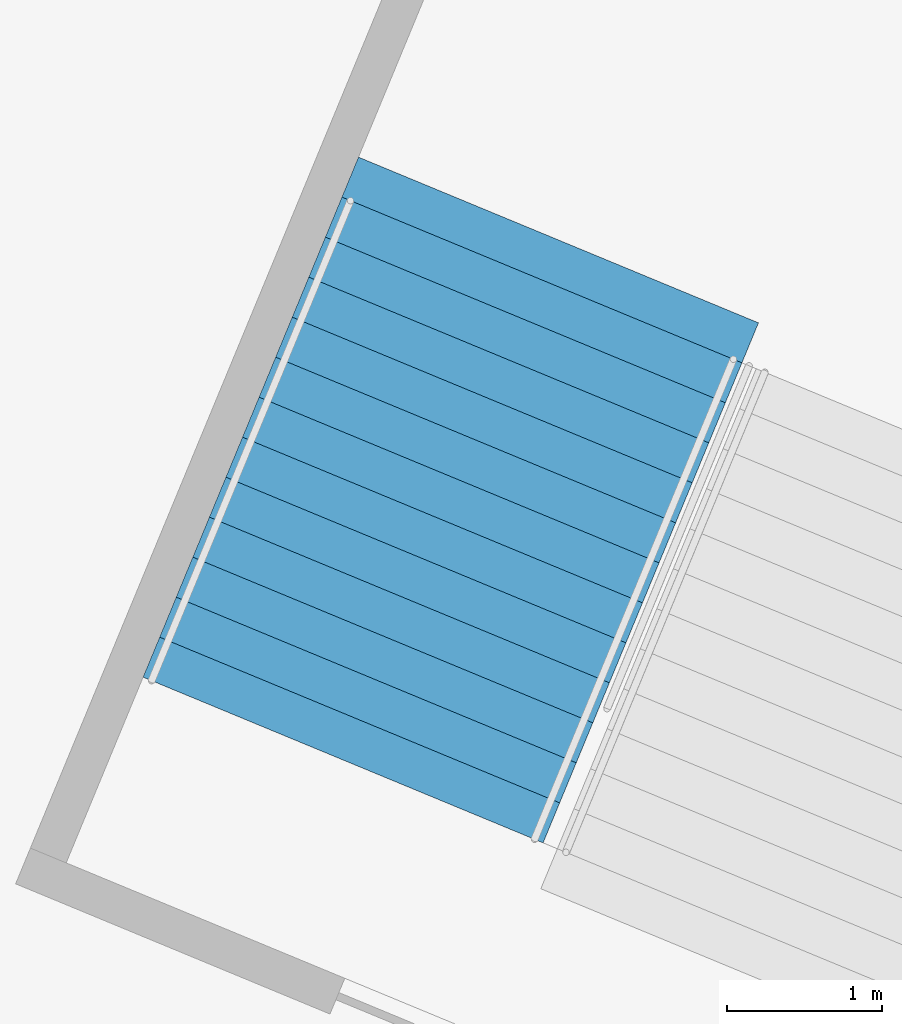
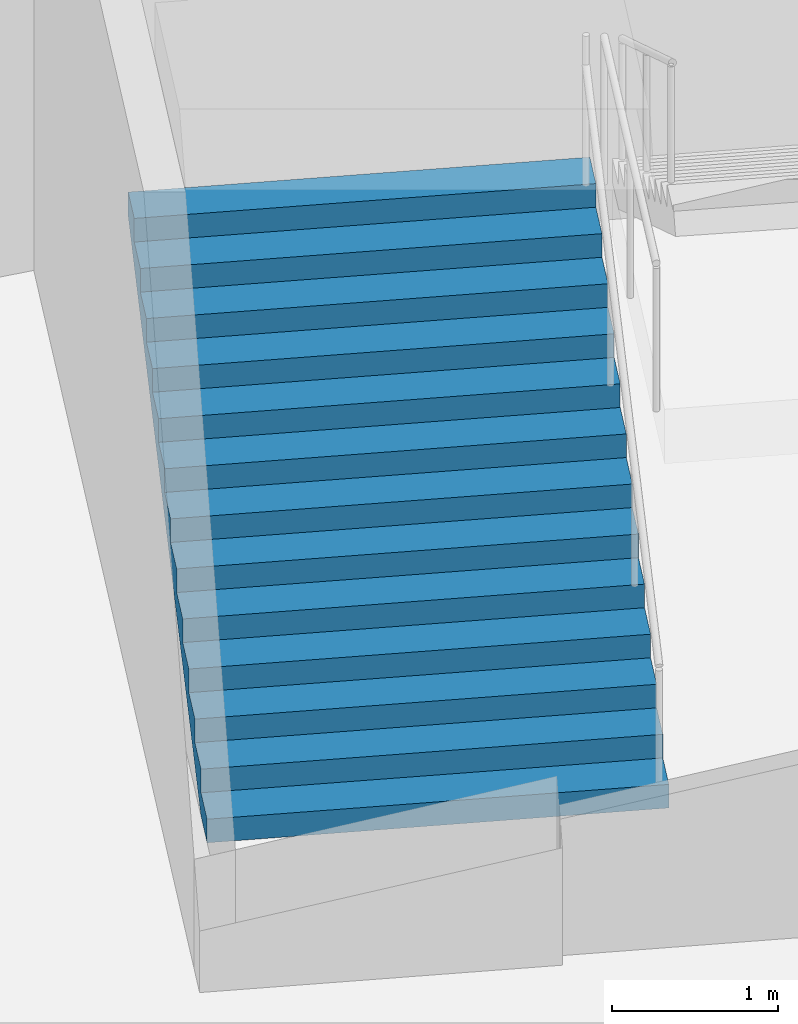
# One storey, part 150 of 175: 1 stair flight, 1 element without a shape of its own.
"""IFC4 building model written with IfcOpenShell, lengths in metres."""

from ifc_helpers import new_model, si_unit, direction, frame, origin, place, context, subcontext, project, spatial, faceted_brep, material, type_object, element, aggregate, save


model = new_model("IFC4")

# Units and contexts
model_context = context("Model", 3, precision=1e-05, world=origin(), true_north=direction((0.0, 1.0)))
body_context = subcontext(model_context, "Body", "Model", "MODEL_VIEW")
ifc_project = project(units=[si_unit("LENGTHUNIT", "METRE"), si_unit("AREAUNIT", "SQUARE_METRE"), si_unit("VOLUMEUNIT", "CUBIC_METRE"), si_unit("PLANEANGLEUNIT", "RADIAN"), si_unit("MASSUNIT", "GRAM", prefix="KILO")], contexts=[model_context])

# Site, building, storey
site_placement = place(None, origin())
site = spatial("IfcSite", under=ifc_project, at=site_placement, CompositionType="ELEMENT")
building_placement = place(site_placement, origin())
building = spatial("IfcBuilding", under=site, at=building_placement, Name="Ogive Plaza Stadium", CompositionType="ELEMENT")
storey_placement = place(building_placement, origin())
storey = spatial("IfcBuildingStorey", under=building, at=storey_placement, Name="L00", CompositionType="ELEMENT", Elevation=0.0)

# Stair, stair flight
ifc_material_1 = material(Name="Concrete C40/50", Category="concrete")
stair_type = type_object("IfcStairType", Name="Exit stair", PredefinedType="STRAIGHT_RUN_STAIR", material=ifc_material_1)
stair_placement = place(storey_placement, origin())
stair = element("IfcStair", 1, at=stair_placement, inside=storey, type_object=stair_type, Name="Exit stair ST38B L00 to L01", PredefinedType="STRAIGHT_RUN_STAIR")
ifc_material_2 = material(Name="Concrete C40/50", Category="concrete")
stair_flight_type = type_object("IfcStairFlightType", Name="Exit stair flight", PredefinedType="STRAIGHT", material=ifc_material_2)
stair_flight_placement = place(storey_placement, frame((46.118408203125, 93.319580078125, 0.0), z_axis=(0.0, 0.0, 1.0), x_axis=(0.382683432365, 0.923879532511, 0.0)))
stair_flight = element("IfcStairFlight", 2, at=stair_flight_placement, type_object=stair_flight_type, Name="ST38B flight 1", NumberOfRisers=13, NumberOfTreads=12, PredefinedType="STRAIGHT", RiserHeight=0.173076923, TreadLength=0.28, context=body_context, shape_type="Brep", body=[
    faceted_brep([(0.28515625, -1.39990234375, 0.0), (3.639892578125, -1.39990234375, 2.07373046875), (3.639892578125, -1.39990234375, 2.25), (3.360107421875, -1.39990234375, 2.25), (3.360107421875, -1.39990234375, 2.076904296875), (3.080078125, -1.39990234375, 2.076904296875), (3.080078125, -1.39990234375, 1.90380859375), (2.800048828125, -1.39990234375, 1.90380859375), (2.800048828125, -1.39990234375, 1.730712890625), (2.52001953125, -1.39990234375, 1.730712890625), (2.52001953125, -1.39990234375, 1.5576171875), (2.239990234375, -1.39990234375, 1.5576171875), (2.239990234375, -1.39990234375, 1.384521484375), (1.9599609375, -1.39990234375, 1.384521484375), (1.9599609375, -1.39990234375, 1.21142578125), (1.679931640625, -1.39990234375, 1.21142578125), (1.679931640625, -1.39990234375, 1.03857421875), (1.39990234375, -1.39990234375, 1.03857421875), (1.39990234375, -1.39990234375, 0.865478515625), (1.1201171875, -1.39990234375, 0.865478515625), (1.1201171875, -1.39990234375, 0.6923828125), (0.840087890625, -1.39990234375, 0.6923828125), (0.840087890625, -1.39990234375, 0.519287109375), (0.56005859375, -1.39990234375, 0.519287109375), (0.56005859375, -1.39990234375, 0.34619140625), (0.280029296875, -1.39990234375, 0.34619140625), (0.280029296875, -1.39990234375, 0.173095703125), (0.0, -1.39990234375, 0.173095703125), (0.0, -1.39990234375, 0.0), (0.0, 1.39990234375, 0.0), (0.0, 1.39990234375, 0.173095703125), (0.280029296875, 1.39990234375, 0.173095703125), (0.280029296875, 1.39990234375, 0.34619140625), (0.56005859375, 1.39990234375, 0.34619140625), (0.56005859375, 1.39990234375, 0.519287109375), (0.840087890625, 1.39990234375, 0.519287109375), (0.840087890625, 1.39990234375, 0.6923828125), (1.1201171875, 1.39990234375, 0.6923828125), (1.1201171875, 1.39990234375, 0.865478515625), (1.39990234375, 1.39990234375, 0.865478515625), (1.39990234375, 1.39990234375, 1.03857421875), (1.679931640625, 1.39990234375, 1.03857421875), (1.679931640625, 1.39990234375, 1.21142578125), (1.9599609375, 1.39990234375, 1.21142578125), (1.9599609375, 1.39990234375, 1.384521484375), (2.239990234375, 1.39990234375, 1.384521484375), (2.239990234375, 1.39990234375, 1.5576171875), (2.52001953125, 1.39990234375, 1.5576171875), (2.52001953125, 1.39990234375, 1.730712890625), (2.800048828125, 1.39990234375, 1.730712890625), (2.800048828125, 1.39990234375, 1.90380859375), (3.080078125, 1.39990234375, 1.90380859375), (3.080078125, 1.39990234375, 2.076904296875), (3.360107421875, 1.39990234375, 2.076904296875), (3.360107421875, 1.39990234375, 2.25), (3.639892578125, 1.39990234375, 2.25), (3.639892578125, 1.39990234375, 2.07373046875), (0.28515625, 1.39990234375, 0.0), (0.28515625, -1.0888671875, 0.0), (3.639892578125, -1.0888671875, 2.07373046875), (0.28515625, -0.77783203125, 0.0), (3.639892578125, -0.77783203125, 2.07373046875), (0.28515625, -0.466796875, 0.0), (3.639892578125, -0.466796875, 2.07373046875), (0.28515625, -0.155517578125, 0.0), (3.639892578125, -0.155517578125, 2.07373046875), (0.28515625, 0.155517578125, 0.0), (3.639892578125, 0.155517578125, 2.07373046875), (0.28515625, 0.466796875, 0.0), (3.639892578125, 0.466796875, 2.07373046875), (0.28515625, 0.77783203125, 0.0), (3.639892578125, 0.77783203125, 2.07373046875), (0.28515625, 1.0888671875, 0.0), (3.639892578125, 1.0888671875, 2.07373046875), (3.639892578125, -1.0888671875, 2.25), (3.639892578125, -0.77783203125, 2.25), (3.639892578125, -0.466796875, 2.25), (3.639892578125, -0.155517578125, 2.25), (3.639892578125, 0.155517578125, 2.25), (3.639892578125, 0.466796875, 2.25), (3.639892578125, 0.77783203125, 2.25), (3.639892578125, 1.0888671875, 2.25), (3.360107421875, -1.0888671875, 2.25), (3.360107421875, -0.77783203125, 2.25), (3.360107421875, -0.466796875, 2.25), (3.360107421875, -0.155517578125, 2.25), (3.360107421875, 0.155517578125, 2.25), (3.360107421875, 0.466796875, 2.25), (3.360107421875, 0.77783203125, 2.25), (3.360107421875, 1.0888671875, 2.25), (3.360107421875, -1.0888671875, 2.076904296875), (3.360107421875, -0.77783203125, 2.076904296875), (3.360107421875, -0.466796875, 2.076904296875), (3.360107421875, -0.155517578125, 2.076904296875), (3.360107421875, 0.155517578125, 2.076904296875), (3.360107421875, 0.466796875, 2.076904296875), (3.360107421875, 0.77783203125, 2.076904296875), (3.360107421875, 1.0888671875, 2.076904296875), (3.080078125, -1.0888671875, 2.076904296875), (3.080078125, -0.77783203125, 2.076904296875), (3.080078125, -0.466796875, 2.076904296875), (3.080078125, -0.155517578125, 2.076904296875), (3.080078125, 0.155517578125, 2.076904296875), (3.080078125, 0.466796875, 2.076904296875), (3.080078125, 0.77783203125, 2.076904296875), (3.080078125, 1.0888671875, 2.076904296875), (3.080078125, -1.0888671875, 1.90380859375), (3.080078125, -0.77783203125, 1.90380859375), (3.080078125, -0.466796875, 1.90380859375), (3.080078125, -0.155517578125, 1.90380859375), (3.080078125, 0.155517578125, 1.90380859375), (3.080078125, 0.466796875, 1.90380859375), (3.080078125, 0.77783203125, 1.90380859375), (3.080078125, 1.0888671875, 1.90380859375), (2.800048828125, -1.0888671875, 1.90380859375), (2.800048828125, -0.77783203125, 1.90380859375), (2.800048828125, -0.466796875, 1.90380859375), (2.800048828125, -0.155517578125, 1.90380859375), (2.800048828125, 0.155517578125, 1.90380859375), (2.800048828125, 0.466796875, 1.90380859375), (2.800048828125, 0.77783203125, 1.90380859375), (2.800048828125, 1.0888671875, 1.90380859375), (2.800048828125, -1.0888671875, 1.730712890625), (2.800048828125, -0.77783203125, 1.730712890625), (2.800048828125, -0.466796875, 1.730712890625), (2.800048828125, -0.155517578125, 1.730712890625), (2.800048828125, 0.155517578125, 1.730712890625), (2.800048828125, 0.466796875, 1.730712890625), (2.800048828125, 0.77783203125, 1.730712890625), (2.800048828125, 1.0888671875, 1.730712890625), (2.52001953125, -1.0888671875, 1.730712890625), (2.52001953125, -0.77783203125, 1.730712890625), (2.52001953125, -0.466796875, 1.730712890625), (2.52001953125, -0.155517578125, 1.730712890625), (2.52001953125, 0.155517578125, 1.730712890625), (2.52001953125, 0.466796875, 1.730712890625), (2.52001953125, 0.77783203125, 1.730712890625), (2.52001953125, 1.0888671875, 1.730712890625), (2.52001953125, -1.0888671875, 1.5576171875), (2.52001953125, -0.77783203125, 1.5576171875), (2.52001953125, -0.466796875, 1.5576171875), (2.52001953125, -0.155517578125, 1.5576171875), (2.52001953125, 0.155517578125, 1.5576171875), (2.52001953125, 0.466796875, 1.5576171875), (2.52001953125, 0.77783203125, 1.5576171875), (2.52001953125, 1.0888671875, 1.5576171875), (2.239990234375, -1.0888671875, 1.5576171875), (2.239990234375, -0.77783203125, 1.5576171875), (2.239990234375, -0.466796875, 1.5576171875), (2.239990234375, -0.155517578125, 1.5576171875), (2.239990234375, 0.155517578125, 1.5576171875), (2.239990234375, 0.466796875, 1.5576171875), (2.239990234375, 0.77783203125, 1.5576171875), (2.239990234375, 1.0888671875, 1.5576171875), (2.239990234375, -1.0888671875, 1.384521484375), (2.239990234375, -0.77783203125, 1.384521484375), (2.239990234375, -0.466796875, 1.384521484375), (2.239990234375, -0.155517578125, 1.384521484375), (2.239990234375, 0.155517578125, 1.384521484375), (2.239990234375, 0.466796875, 1.384521484375), (2.239990234375, 0.77783203125, 1.384521484375), (2.239990234375, 1.0888671875, 1.384521484375), (1.9599609375, -1.0888671875, 1.384521484375), (1.9599609375, -0.77783203125, 1.384521484375), (1.9599609375, -0.466796875, 1.384521484375), (1.9599609375, -0.155517578125, 1.384521484375), (1.9599609375, 0.155517578125, 1.384521484375), (1.9599609375, 0.466796875, 1.384521484375), (1.9599609375, 0.77783203125, 1.384521484375), (1.9599609375, 1.0888671875, 1.384521484375), (1.9599609375, -1.0888671875, 1.21142578125), (1.9599609375, -0.77783203125, 1.21142578125), (1.9599609375, -0.466796875, 1.21142578125), (1.9599609375, -0.155517578125, 1.21142578125), (1.9599609375, 0.155517578125, 1.21142578125), (1.9599609375, 0.466796875, 1.21142578125), (1.9599609375, 0.77783203125, 1.21142578125), (1.9599609375, 1.0888671875, 1.21142578125), (1.679931640625, -1.0888671875, 1.21142578125), (1.679931640625, -0.77783203125, 1.21142578125), (1.679931640625, -0.466796875, 1.21142578125), (1.679931640625, -0.155517578125, 1.21142578125), (1.679931640625, 0.155517578125, 1.21142578125), (1.679931640625, 0.466796875, 1.21142578125), (1.679931640625, 0.77783203125, 1.21142578125), (1.679931640625, 1.0888671875, 1.21142578125), (1.679931640625, -1.0888671875, 1.03857421875), (1.679931640625, -0.77783203125, 1.03857421875), (1.679931640625, -0.466796875, 1.03857421875), (1.679931640625, -0.155517578125, 1.03857421875), (1.679931640625, 0.155517578125, 1.03857421875), (1.679931640625, 0.466796875, 1.03857421875), (1.679931640625, 0.77783203125, 1.03857421875), (1.679931640625, 1.0888671875, 1.03857421875), (1.39990234375, -1.0888671875, 1.03857421875), (1.39990234375, -0.77783203125, 1.03857421875), (1.39990234375, -0.466796875, 1.03857421875), (1.39990234375, -0.155517578125, 1.03857421875), (1.39990234375, 0.155517578125, 1.03857421875), (1.39990234375, 0.466796875, 1.03857421875), (1.39990234375, 0.77783203125, 1.03857421875), (1.39990234375, 1.0888671875, 1.03857421875), (1.39990234375, -1.0888671875, 0.865478515625), (1.39990234375, -0.77783203125, 0.865478515625), (1.39990234375, -0.466796875, 0.865478515625), (1.39990234375, -0.155517578125, 0.865478515625), (1.39990234375, 0.155517578125, 0.865478515625), (1.39990234375, 0.466796875, 0.865478515625), (1.39990234375, 0.77783203125, 0.865478515625), (1.39990234375, 1.0888671875, 0.865478515625), (1.1201171875, -1.0888671875, 0.865478515625), (1.1201171875, -0.77783203125, 0.865478515625), (1.1201171875, -0.466796875, 0.865478515625), (1.1201171875, -0.155517578125, 0.865478515625), (1.1201171875, 0.155517578125, 0.865478515625), (1.1201171875, 0.466796875, 0.865478515625), (1.1201171875, 0.77783203125, 0.865478515625), (1.1201171875, 1.0888671875, 0.865478515625), (1.1201171875, -1.0888671875, 0.6923828125), (1.1201171875, -0.77783203125, 0.6923828125), (1.1201171875, -0.466796875, 0.6923828125), (1.1201171875, -0.155517578125, 0.6923828125), (1.1201171875, 0.155517578125, 0.6923828125), (1.1201171875, 0.466796875, 0.6923828125), (1.1201171875, 0.77783203125, 0.6923828125), (1.1201171875, 1.0888671875, 0.6923828125), (0.840087890625, -1.0888671875, 0.6923828125), (0.840087890625, -0.77783203125, 0.6923828125), (0.840087890625, -0.466796875, 0.6923828125), (0.840087890625, -0.155517578125, 0.6923828125), (0.840087890625, 0.155517578125, 0.6923828125), (0.840087890625, 0.466796875, 0.6923828125), (0.840087890625, 0.77783203125, 0.6923828125), (0.840087890625, 1.0888671875, 0.6923828125), (0.840087890625, -1.0888671875, 0.519287109375), (0.840087890625, -0.77783203125, 0.519287109375), (0.840087890625, -0.466796875, 0.519287109375), (0.840087890625, -0.155517578125, 0.519287109375), (0.840087890625, 0.155517578125, 0.519287109375), (0.840087890625, 0.466796875, 0.519287109375), (0.840087890625, 0.77783203125, 0.519287109375), (0.840087890625, 1.0888671875, 0.519287109375), (0.56005859375, -1.0888671875, 0.519287109375), (0.56005859375, -0.77783203125, 0.519287109375), (0.56005859375, -0.466796875, 0.519287109375), (0.56005859375, -0.155517578125, 0.519287109375), (0.56005859375, 0.155517578125, 0.519287109375), (0.56005859375, 0.466796875, 0.519287109375), (0.56005859375, 0.77783203125, 0.519287109375), (0.56005859375, 1.0888671875, 0.519287109375), (0.56005859375, -1.0888671875, 0.34619140625), (0.56005859375, -0.77783203125, 0.34619140625), (0.56005859375, -0.466796875, 0.34619140625), (0.56005859375, -0.155517578125, 0.34619140625), (0.56005859375, 0.155517578125, 0.34619140625), (0.56005859375, 0.466796875, 0.34619140625), (0.56005859375, 0.77783203125, 0.34619140625), (0.56005859375, 1.0888671875, 0.34619140625), (0.280029296875, -1.0888671875, 0.34619140625), (0.280029296875, -0.77783203125, 0.34619140625), (0.280029296875, -0.466796875, 0.34619140625), (0.280029296875, -0.155517578125, 0.34619140625), (0.280029296875, 0.155517578125, 0.34619140625), (0.280029296875, 0.466796875, 0.34619140625), (0.280029296875, 0.77783203125, 0.34619140625), (0.280029296875, 1.0888671875, 0.34619140625), (0.280029296875, -1.0888671875, 0.173095703125), (0.280029296875, -0.77783203125, 0.173095703125), (0.280029296875, -0.466796875, 0.173095703125), (0.280029296875, -0.155517578125, 0.173095703125), (0.280029296875, 0.155517578125, 0.173095703125), (0.280029296875, 0.466796875, 0.173095703125), (0.280029296875, 0.77783203125, 0.173095703125), (0.280029296875, 1.0888671875, 0.173095703125), (0.0, -1.0888671875, 0.173095703125), (0.0, -0.77783203125, 0.173095703125), (0.0, -0.466796875, 0.173095703125), (0.0, -0.155517578125, 0.173095703125), (0.0, 0.155517578125, 0.173095703125), (0.0, 0.466796875, 0.173095703125), (0.0, 0.77783203125, 0.173095703125), (0.0, 1.0888671875, 0.173095703125), (0.0, -1.0888671875, 0.0), (0.0, -0.77783203125, 0.0), (0.0, -0.466796875, 0.0), (0.0, -0.155517578125, 0.0), (0.0, 0.155517578125, 0.0), (0.0, 0.466796875, 0.0), (0.0, 0.77783203125, 0.0), (0.0, 1.0888671875, 0.0)], [[[0, 1, 2, 3, 4, 5, 6, 7, 8, 9, 10, 11, 12, 13, 14, 15, 16, 17, 18, 19, 20, 21, 22, 23, 24, 25, 26, 27, 28]], [[29, 30, 31, 32, 33, 34, 35, 36, 37, 38, 39, 40, 41, 42, 43, 44, 45, 46, 47, 48, 49, 50, 51, 52, 53, 54, 55, 56, 57]], [[0, 58, 59, 1]], [[58, 60, 61, 59]], [[60, 62, 63, 61]], [[62, 64, 65, 63]], [[64, 66, 67, 65]], [[66, 68, 69, 67]], [[68, 70, 71, 69]], [[70, 72, 73, 71]], [[72, 57, 56, 73]], [[1, 59, 74, 2]], [[59, 61, 75, 74]], [[61, 63, 76, 75]], [[63, 65, 77, 76]], [[65, 67, 78, 77]], [[67, 69, 79, 78]], [[69, 71, 80, 79]], [[71, 73, 81, 80]], [[73, 56, 55, 81]], [[2, 74, 82, 3]], [[74, 75, 83, 82]], [[75, 76, 84, 83]], [[76, 77, 85, 84]], [[77, 78, 86, 85]], [[78, 79, 87, 86]], [[79, 80, 88, 87]], [[80, 81, 89, 88]], [[81, 55, 54, 89]], [[3, 82, 90, 4]], [[82, 83, 91, 90]], [[83, 84, 92, 91]], [[84, 85, 93, 92]], [[85, 86, 94, 93]], [[86, 87, 95, 94]], [[87, 88, 96, 95]], [[88, 89, 97, 96]], [[89, 54, 53, 97]], [[4, 90, 98, 5]], [[90, 91, 99, 98]], [[91, 92, 100, 99]], [[92, 93, 101, 100]], [[93, 94, 102, 101]], [[94, 95, 103, 102]], [[95, 96, 104, 103]], [[96, 97, 105, 104]], [[97, 53, 52, 105]], [[5, 98, 106, 6]], [[98, 99, 107, 106]], [[99, 100, 108, 107]], [[100, 101, 109, 108]], [[101, 102, 110, 109]], [[102, 103, 111, 110]], [[103, 104, 112, 111]], [[104, 105, 113, 112]], [[105, 52, 51, 113]], [[6, 106, 114, 7]], [[106, 107, 115, 114]], [[107, 108, 116, 115]], [[108, 109, 117, 116]], [[109, 110, 118, 117]], [[110, 111, 119, 118]], [[111, 112, 120, 119]], [[112, 113, 121, 120]], [[113, 51, 50, 121]], [[7, 114, 122, 8]], [[114, 115, 123, 122]], [[115, 116, 124, 123]], [[116, 117, 125, 124]], [[117, 118, 126, 125]], [[118, 119, 127, 126]], [[119, 120, 128, 127]], [[120, 121, 129, 128]], [[121, 50, 49, 129]], [[8, 122, 130, 9]], [[122, 123, 131, 130]], [[123, 124, 132, 131]], [[124, 125, 133, 132]], [[125, 126, 134, 133]], [[126, 127, 135, 134]], [[127, 128, 136, 135]], [[128, 129, 137, 136]], [[129, 49, 48, 137]], [[9, 130, 138, 10]], [[130, 131, 139, 138]], [[131, 132, 140, 139]], [[132, 133, 141, 140]], [[133, 134, 142, 141]], [[134, 135, 143, 142]], [[135, 136, 144, 143]], [[136, 137, 145, 144]], [[137, 48, 47, 145]], [[10, 138, 146, 11]], [[138, 139, 147, 146]], [[139, 140, 148, 147]], [[140, 141, 149, 148]], [[141, 142, 150, 149]], [[142, 143, 151, 150]], [[143, 144, 152, 151]], [[144, 145, 153, 152]], [[145, 47, 46, 153]], [[11, 146, 154, 12]], [[146, 147, 155, 154]], [[147, 148, 156, 155]], [[148, 149, 157, 156]], [[149, 150, 158, 157]], [[150, 151, 159, 158]], [[151, 152, 160, 159]], [[152, 153, 161, 160]], [[153, 46, 45, 161]], [[12, 154, 162, 13]], [[154, 155, 163, 162]], [[155, 156, 164, 163]], [[156, 157, 165, 164]], [[157, 158, 166, 165]], [[158, 159, 167, 166]], [[159, 160, 168, 167]], [[160, 161, 169, 168]], [[161, 45, 44, 169]], [[13, 162, 170, 14]], [[162, 163, 171, 170]], [[163, 164, 172, 171]], [[164, 165, 173, 172]], [[165, 166, 174, 173]], [[166, 167, 175, 174]], [[167, 168, 176, 175]], [[168, 169, 177, 176]], [[169, 44, 43, 177]], [[14, 170, 178, 15]], [[170, 171, 179, 178]], [[171, 172, 180, 179]], [[172, 173, 181, 180]], [[173, 174, 182, 181]], [[174, 175, 183, 182]], [[175, 176, 184, 183]], [[176, 177, 185, 184]], [[177, 43, 42, 185]], [[15, 178, 186, 16]], [[178, 179, 187, 186]], [[179, 180, 188, 187]], [[180, 181, 189, 188]], [[181, 182, 190, 189]], [[182, 183, 191, 190]], [[183, 184, 192, 191]], [[184, 185, 193, 192]], [[185, 42, 41, 193]], [[16, 186, 194, 17]], [[186, 187, 195, 194]], [[187, 188, 196, 195]], [[188, 189, 197, 196]], [[189, 190, 198, 197]], [[190, 191, 199, 198]], [[191, 192, 200, 199]], [[192, 193, 201, 200]], [[193, 41, 40, 201]], [[17, 194, 202, 18]], [[194, 195, 203, 202]], [[195, 196, 204, 203]], [[196, 197, 205, 204]], [[197, 198, 206, 205]], [[198, 199, 207, 206]], [[199, 200, 208, 207]], [[200, 201, 209, 208]], [[201, 40, 39, 209]], [[18, 202, 210, 19]], [[202, 203, 211, 210]], [[203, 204, 212, 211]], [[204, 205, 213, 212]], [[205, 206, 214, 213]], [[206, 207, 215, 214]], [[207, 208, 216, 215]], [[208, 209, 217, 216]], [[209, 39, 38, 217]], [[19, 210, 218, 20]], [[210, 211, 219, 218]], [[211, 212, 220, 219]], [[212, 213, 221, 220]], [[213, 214, 222, 221]], [[214, 215, 223, 222]], [[215, 216, 224, 223]], [[216, 217, 225, 224]], [[217, 38, 37, 225]], [[20, 218, 226, 21]], [[218, 219, 227, 226]], [[219, 220, 228, 227]], [[220, 221, 229, 228]], [[221, 222, 230, 229]], [[222, 223, 231, 230]], [[223, 224, 232, 231]], [[224, 225, 233, 232]], [[225, 37, 36, 233]], [[21, 226, 234, 22]], [[226, 227, 235, 234]], [[227, 228, 236, 235]], [[228, 229, 237, 236]], [[229, 230, 238, 237]], [[230, 231, 239, 238]], [[231, 232, 240, 239]], [[232, 233, 241, 240]], [[233, 36, 35, 241]], [[22, 234, 242, 23]], [[234, 235, 243, 242]], [[235, 236, 244, 243]], [[236, 237, 245, 244]], [[237, 238, 246, 245]], [[238, 239, 247, 246]], [[239, 240, 248, 247]], [[240, 241, 249, 248]], [[241, 35, 34, 249]], [[23, 242, 250, 24]], [[242, 243, 251, 250]], [[243, 244, 252, 251]], [[244, 245, 253, 252]], [[245, 246, 254, 253]], [[246, 247, 255, 254]], [[247, 248, 256, 255]], [[248, 249, 257, 256]], [[249, 34, 33, 257]], [[24, 250, 258, 25]], [[250, 251, 259, 258]], [[251, 252, 260, 259]], [[252, 253, 261, 260]], [[253, 254, 262, 261]], [[254, 255, 263, 262]], [[255, 256, 264, 263]], [[256, 257, 265, 264]], [[257, 33, 32, 265]], [[25, 258, 266, 26]], [[258, 259, 267, 266]], [[259, 260, 268, 267]], [[260, 261, 269, 268]], [[261, 262, 270, 269]], [[262, 263, 271, 270]], [[263, 264, 272, 271]], [[264, 265, 273, 272]], [[265, 32, 31, 273]], [[26, 266, 274, 27]], [[266, 267, 275, 274]], [[267, 268, 276, 275]], [[268, 269, 277, 276]], [[269, 270, 278, 277]], [[270, 271, 279, 278]], [[271, 272, 280, 279]], [[272, 273, 281, 280]], [[273, 31, 30, 281]], [[27, 274, 282, 28]], [[274, 275, 283, 282]], [[275, 276, 284, 283]], [[276, 277, 285, 284]], [[277, 278, 286, 285]], [[278, 279, 287, 286]], [[279, 280, 288, 287]], [[280, 281, 289, 288]], [[281, 30, 29, 289]], [[28, 282, 58, 0]], [[282, 283, 60, 58]], [[283, 284, 62, 60]], [[284, 285, 64, 62]], [[285, 286, 66, 64]], [[286, 287, 68, 66]], [[287, 288, 70, 68]], [[288, 289, 72, 70]], [[289, 29, 57, 72]]]),
])
aggregate(stair, [stair_flight])

save(model, "model.ifc")
